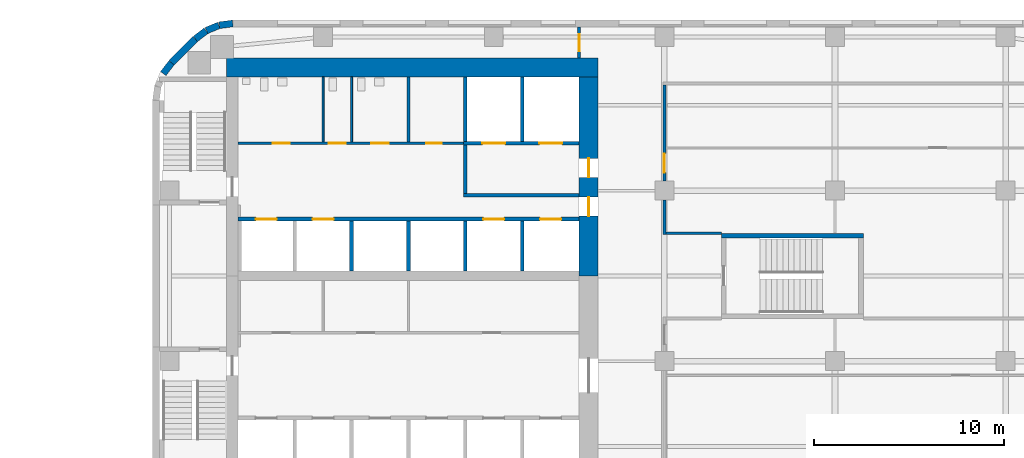
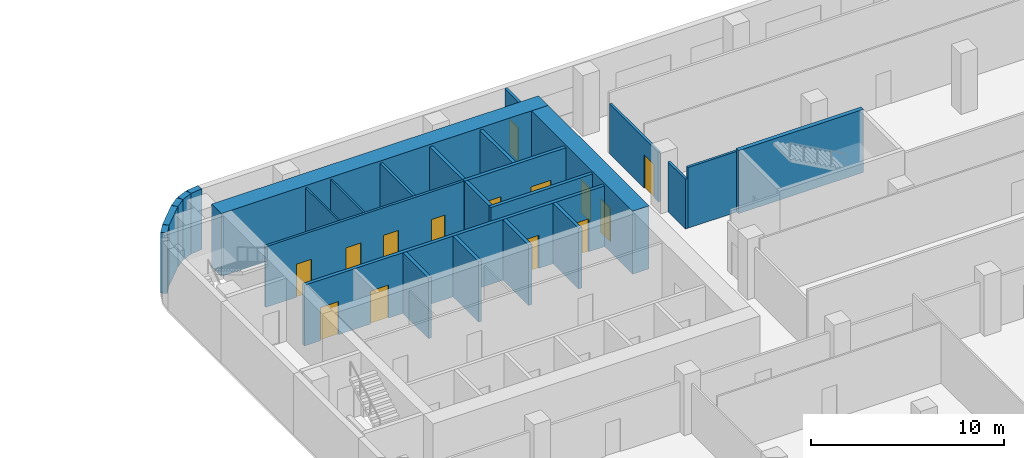
# One storey, part 11 of 16: 26 walls, 14 doors, 14 openings.
"""IFC4 building model written with IfcOpenShell, lengths in metres."""

import ifcopenshell
import ifcopenshell.guid

model = None  # the IFC model being written
_history = None  # IfcOwnerHistory: only IFC2X3 demands one
_inside = {}  # id of a spatial element -> (the spatial element, [elements in it])
_under = {}  # id of a project, library or spatial element -> (it, [spatial elements below it])
_declared = {}  # id of a project -> (the project, [libraries it declares])
_typed = {}  # id of a type object -> (the type object, [elements of that type])
_made_of = {}  # id of a material, layer set ... -> (it, [elements and type objects made of it])


def new_model(schema):
    """Start an empty IFC model of exactly this schema.

    Asked for "IFC4X3", IfcOpenShell would pick the latest addendum, in which some entities
    have other attributes; the version numbers below select the first issue.
    IFC2X3 requires an IfcOwnerHistory on every rooted entity: one is made here for all.
    """
    global model, _history
    if schema == "IFC4X3":
        model = ifcopenshell.file(schema_version=(4, 3, 0, 0))
    else:
        model = ifcopenshell.file(schema=schema)
    _inside.clear()
    _under.clear()
    _declared.clear()
    _typed.clear()
    _made_of.clear()
    _history = None
    if model.schema == "IFC2X3":
        org = make("IfcOrganization", Name="unknown")
        user = make(
            "IfcPersonAndOrganization",
            ThePerson=make("IfcPerson", FamilyName="unknown"),
            TheOrganization=org,
        )
        app = make(
            "IfcApplication",
            ApplicationDeveloper=org,
            Version="unknown",
            ApplicationFullName="unknown",
            ApplicationIdentifier="unknown",
        )
        _history = make(
            "IfcOwnerHistory",
            OwningUser=user,
            OwningApplication=app,
            ChangeAction="ADDED",
            CreationDate=0,
        )
    return model


def make(cls, **values):
    """One entity of the class cls with the attributes given. An attribute that is None is left unset."""
    return model.create_entity(
        cls, **{name: value for name, value in values.items() if value is not None}
    )


def rooted(cls, **values):
    """An entity with a GlobalId (a new one), such as an element, a storey or a relation."""
    return make(cls, GlobalId=ifcopenshell.guid.new(), OwnerHistory=_history, **values)


def si_unit(unit_type, name, prefix=None):
    """IfcSIUnit, for example si_unit("LENGTHUNIT", "METRE", prefix="MILLI")."""
    return make("IfcSIUnit", UnitType=unit_type, Prefix=prefix, Name=name)


def assignment(units):
    """IfcUnitAssignment: the units of a project."""
    return None if units is None else make("IfcUnitAssignment", Units=units)


def point(xyz):
    """IfcCartesianPoint."""
    return None if xyz is None else make("IfcCartesianPoint", Coordinates=xyz)


def direction(xyz):
    """IfcDirection."""
    return None if xyz is None else make("IfcDirection", DirectionRatios=xyz)


def frame(location, z_axis=None, x_axis=None):
    """IfcAxis2Placement3D, a coordinate frame: its origin and axes. An axis left out is left unset."""
    return make(
        "IfcAxis2Placement3D",
        Location=point(location),
        Axis=direction(z_axis),
        RefDirection=direction(x_axis),
    )


def frame_2d(location, x_axis=None):
    """IfcAxis2Placement2D, a coordinate frame in the plane: its origin and x axis."""
    return make(
        "IfcAxis2Placement2D", Location=point(location), RefDirection=direction(x_axis)
    )


def origin():
    """The frame at (0, 0, 0) with its axes left unset."""
    return frame((0.0, 0.0, 0.0))


def place(relative_to, where):
    """IfcLocalPlacement: puts the frame where relative to a parent placement (None: the world)."""
    return make(
        "IfcLocalPlacement", PlacementRelTo=relative_to, RelativePlacement=where
    )


def context(
    kind, dimensions, precision=None, world=None, true_north=None, identifier=None
):
    """IfcGeometricRepresentationContext, for example the 3D "Model" context."""
    return make(
        "IfcGeometricRepresentationContext",
        ContextIdentifier=identifier,
        ContextType=kind,
        CoordinateSpaceDimension=dimensions,
        Precision=precision,
        WorldCoordinateSystem=world,
        TrueNorth=true_north,
    )


def subcontext(parent, identifier, kind, view, scale=None):
    """IfcGeometricRepresentationSubContext, for example "Body" below "Model"."""
    return make(
        "IfcGeometricRepresentationSubContext",
        ContextIdentifier=identifier,
        ContextType=kind,
        ParentContext=parent,
        TargetScale=scale,
        TargetView=view,
    )


def project(units=None, contexts=None):
    """IfcProject with its units and contexts."""
    return rooted(
        "IfcProject",
        Name="project",
        RepresentationContexts=contexts,
        UnitsInContext=assignment(units),
    )


def spatial(cls, under=None, at=None, **own):
    """A site, building, storey or space (cls), placed at a placement, below another one or the project."""
    s = rooted(cls, ObjectPlacement=at, **own)
    if under is not None:
        _under.setdefault(under.id(), (under, []))[1].append(s)
    return s


def profile(cls, at=None, kind="AREA", **sizes):
    """A parametric profile (cls). Its sizes go by their IFC names, for example OverallWidth=200.0."""
    return make(cls, ProfileType=kind, Position=at, **sizes)


def rectangle(**sizes):
    """IfcRectangleProfileDef."""
    return profile("IfcRectangleProfileDef", **sizes)


def extrude(swept, where, along, depth):
    """IfcExtrudedAreaSolid: the profile swept, set in the frame where, extruded along a direction by depth."""
    return make(
        "IfcExtrudedAreaSolid",
        SweptArea=swept,
        Position=where,
        ExtrudedDirection=direction(along),
        Depth=depth,
    )


def shape(context_of_items, identifier, shape_type, items):
    """IfcShapeRepresentation: the items that make up one representation, for example the "Body"."""
    return make(
        "IfcShapeRepresentation",
        ContextOfItems=context_of_items,
        RepresentationIdentifier=identifier,
        RepresentationType=shape_type,
        Items=items,
    )


def material(Name=None, Category=None):
    """IfcMaterial."""
    return make("IfcMaterial", Name=Name, Category=Category)


def layer(
    of_material, thickness, ventilated=None, Name=None, Category=None, Priority=None
):
    """IfcMaterialLayer: one layer of a wall or slab, of a material (None: an air gap)."""
    return make(
        "IfcMaterialLayer",
        Material=of_material,
        LayerThickness=thickness,
        IsVentilated=ventilated,
        Name=Name,
        Category=Category,
        Priority=Priority,
    )


def layer_set(layers, Name=None):
    """IfcMaterialLayerSet."""
    return make("IfcMaterialLayerSet", MaterialLayers=layers, LayerSetName=Name)


def made_of(thing, what):
    """Note that an element or type object is made of a material, layer set ...; save() writes the relation."""
    if what is not None:
        _made_of.setdefault(what.id(), (what, []))[1].append(thing)
    return thing


def type_object(cls, material=None, **own):
    """A type object (cls), such as IfcWallType, which elements share."""
    return made_of(rooted(cls, **own), material)


def element(
    cls,
    number,
    at=None,
    inside=None,
    cuts=None,
    type_object=None,
    material=None,
    context=None,
    identifier="Body",
    shape_type=None,
    held_by="IfcProductDefinitionShape",
    body=None,
    shapes=None,
    **own,
):
    """One element of the class cls, such as IfcWall. Its Tag is "e" and its number.

    at: its placement. inside: the storey or other place that contains it. cuts: it is an
    opening in that element (IfcRelVoidsElement). A single representation is given by context,
    identifier, shape_type and body (its items); several are given by shapes. held_by: the class
    of the entity that holds the representations. save() writes the other relations.
    """
    e = rooted(cls, Tag="e%d" % number, ObjectPlacement=at, **own)
    if body is not None:
        shapes = [shape(context, identifier, shape_type, body)]
    if shapes is not None:
        e.Representation = make(held_by, Representations=shapes)
    if inside is not None:
        _inside.setdefault(inside.id(), (inside, []))[1].append(e)
    if cuts is not None:
        rooted(
            "IfcRelVoidsElement", RelatingBuildingElement=cuts, RelatedOpeningElement=e
        )
    if type_object is not None:
        _typed.setdefault(type_object.id(), (type_object, []))[1].append(e)
    return made_of(e, material)


def fill(opening, filler):
    """IfcRelFillsElement: the door or window that sits in an opening."""
    return rooted(
        "IfcRelFillsElement",
        RelatingOpeningElement=opening,
        RelatedBuildingElement=filler,
    )


def aggregate(whole, parts):
    """IfcRelAggregates: a whole, such as a stair, and the parts it consists of."""
    return rooted("IfcRelAggregates", RelatingObject=whole, RelatedObjects=parts)


def save(model, path):
    """Write the relations noted so far, then the file.

    IfcRelAggregates (storeys below a building ...), IfcRelContainedInSpatialStructure (elements
    in a storey), IfcRelDefinesByType, IfcRelAssociatesMaterial and IfcRelDeclares: one each for
    every whole, place, type object, material and project.
    """
    for whole, parts in _under.values():
        aggregate(whole, parts)
    for where, things in _inside.values():
        rooted(
            "IfcRelContainedInSpatialStructure",
            RelatedElements=things,
            RelatingStructure=where,
        )
    for kind, things in _typed.values():
        rooted("IfcRelDefinesByType", RelatedObjects=things, RelatingType=kind)
    for what, things in _made_of.values():
        rooted("IfcRelAssociatesMaterial", RelatedObjects=things, RelatingMaterial=what)
    for by, libraries in _declared.values():
        rooted("IfcRelDeclares", RelatingContext=by, RelatedDefinitions=libraries)
    model.write(path)


model = new_model("IFC4")

# Units and contexts
model_context = context("Model", 3, precision=1e-05, world=origin(), true_north=direction((0.0, 1.0)))
body_context = subcontext(model_context, "Body", "Model", "MODEL_VIEW")
ifc_project = project(units=[si_unit("LENGTHUNIT", "METRE"), si_unit("AREAUNIT", "SQUARE_METRE"), si_unit("VOLUMEUNIT", "CUBIC_METRE"), si_unit("PLANEANGLEUNIT", "RADIAN"), si_unit("MASSUNIT", "GRAM", prefix="KILO")], contexts=[model_context])

# Site, building, storey
site_placement = place(None, origin())
site = spatial("IfcSite", under=ifc_project, at=site_placement, CompositionType="ELEMENT")
building_placement = place(site_placement, origin())
building = spatial("IfcBuilding", under=site, at=building_placement, Name="Cinnabar Reach Civic Tower", CompositionType="ELEMENT")
storey_placement = place(building_placement, frame((0.0, 0.0, 38.0)))
storey = spatial("IfcBuildingStorey", under=building, at=storey_placement, Name="L08", CompositionType="ELEMENT", Elevation=38.0)

# Walls
ifc_material_1 = material(Name="Facing brick with insulated backing", Category="masonry")
ifc_layer_1 = layer(ifc_material_1, 0.36)
ifc_layer_set_1 = layer_set([ifc_layer_1], Name="Brick corner wall")
wall_type_1 = type_object("IfcWallType", Name="Brick corner wall", PredefinedType="STANDARD", material=ifc_layer_set_1)
for number, where, z_axis, x_axis, name in (
    (1, (4.2314, 44.817, 0.0), (0.0, 0.0, 1.0), (-0.99144092581, -0.13055608231, 0.0), "Brick corner wall"),
    (2, (3.5027, 44.7181, 0.0), (0.0, 0.0, 1.0), (-0.923871547278, -0.382702709855, 0.0), "Brick corner wall"),
):
    element("IfcWall", number, at=place(storey_placement, frame(where, z_axis=z_axis, x_axis=x_axis)), inside=storey, type_object=wall_type_1, Name=name, PredefinedType="STANDARD", context=body_context, shape_type="SweptSolid", body=[
        extrude(rectangle(XDim=0.7131, YDim=0.36, at=frame_2d((0.3565, 0.0))), origin(), (0.0, 0.0, 1.0), 3.85),
    ])
for number, where, z_axis, x_axis, name in (
    (3, (2.8245, 44.434, 0.0), (0.0, 0.0, 1.0), (-0.793321924995, -0.608802368033, 0.0), "Brick corner wall"),
    (4, (1.0002, 42.7413, 0.0), (0.0, 0.0, 1.0), (-0.608802368033, -0.793321924995, 0.0), "Brick corner wall"),
):
    element("IfcWall", number, at=place(storey_placement, frame(where, z_axis=z_axis, x_axis=x_axis)), inside=storey, type_object=wall_type_1, Name=name, PredefinedType="STANDARD", context=body_context, shape_type="SweptSolid", body=[
        extrude(rectangle(XDim=0.7132, YDim=0.36, at=frame_2d((0.3566, 0.0))), origin(), (0.0, 0.0, 1.0), 3.85),
    ])
ifc_layer_2 = layer(ifc_material_1, 0.36)
ifc_layer_set_2 = layer_set([ifc_layer_2], Name="Brick pier and spandrel wall")
wall_type_2 = type_object("IfcWallType", Name="Brick pier and spandrel wall", PredefinedType="STANDARD", material=ifc_layer_set_2)
wall_1_placement = place(storey_placement, frame((2.2486, 43.994, 0.0), z_axis=(0.0, 0.0, 1.0), x_axis=(-0.707106781187, -0.707106781187, 0.0)))
element("IfcWall", 5, at=wall_1_placement, inside=storey, type_object=wall_type_2, Name="Brick facade wall", PredefinedType="STANDARD", context=body_context, shape_type="SweptSolid", body=[
    extrude(rectangle(XDim=1.7573, YDim=0.36, at=frame_2d((0.8787, 0.0))), origin(), (0.0, 0.0, 1.0), 3.85),
])
ifc_material_2 = material(Name="Concrete C70", Category="concrete")
ifc_layer_3 = layer(ifc_material_2, 1.0)
ifc_layer_set_3 = layer_set([ifc_layer_3], Name="Core wall 1000 EI 180")
wall_type_3 = type_object("IfcWallType", Name="Core wall 1000 EI 180", PredefinedType="SOLIDWALL", material=ifc_layer_set_3)
wall_2_placement = place(storey_placement, frame((23.5, 42.5, 0.0), z_axis=(0.0, 0.0, 1.0), x_axis=(-1.0, 0.0, 0.0)))
element("IfcWall", 6, at=wall_2_placement, inside=storey, type_object=wall_type_3, Name="Core wall T1 L08 N", PredefinedType="SOLIDWALL", context=body_context, shape_type="SweptSolid", body=[
    extrude(rectangle(XDim=19.6, YDim=1.0, at=frame_2d((9.8, 0.0))), origin(), (0.0, 0.0, 1.0), 4.0),
])

# Wall, openings, doors
wall_3_placement = place(storey_placement, frame((23.0, 31.5, 0.0), z_axis=(0.0, 0.0, 1.0), x_axis=(0.0, 1.0, 0.0)))
wall_3 = element("IfcWall", 7, at=wall_3_placement, inside=storey, type_object=wall_type_3, Name="Core wall T1 L08 E2", PredefinedType="SOLIDWALL", context=body_context, shape_type="SweptSolid", body=[
    extrude(rectangle(XDim=10.5, YDim=1.0, at=frame_2d((5.25, 0.0))), origin(), (0.0, 0.0, 1.0), 4.0),
])
opening_1_placement = place(wall_3_placement, frame((3.15, 0.0, 0.0)))
opening_1 = element("IfcOpeningElement", 8, at=opening_1_placement, cuts=wall_3, Name="Opening D3331", PredefinedType="OPENING", context=body_context, shape_type="SweptSolid", body=[
    extrude(rectangle(XDim=1.0, YDim=2.1, at=frame_2d((0.5, 1.05))), frame((0.0, 0.51, 0.0), z_axis=(0.0, -1.0, 0.0), x_axis=(1.0, 0.0, 0.0)), (0.0, 0.0, 1.0), 1.02),
])
opening_2_placement = place(wall_3_placement, frame((5.2, 0.0, 0.0)))
opening_2 = element("IfcOpeningElement", 9, at=opening_2_placement, cuts=wall_3, Name="Opening D3332", PredefinedType="OPENING", context=body_context, shape_type="SweptSolid", body=[
    extrude(rectangle(XDim=1.0, YDim=2.1, at=frame_2d((0.5, 1.05))), frame((0.0, 0.51, 0.0), z_axis=(0.0, -1.0, 0.0), x_axis=(1.0, 0.0, 0.0)), (0.0, 0.0, 1.0), 1.02),
])
ifc_material_3 = material(Name="Timber door leaf in steel frame", Category="steel")
door_type_1 = type_object("IfcDoorType", Name="Firefighting lobby door 1000 x 2100 T1", OperationType="SINGLE_SWING_LEFT", PredefinedType="DOOR", material=ifc_material_3)
door_1_placement = place(opening_2_placement, origin())
door_1 = element("IfcDoor", 10, at=door_1_placement, inside=storey, type_object=door_type_1, Name="Door D3332", OperationType="SINGLE_SWING_LEFT", OverallHeight=2.1, OverallWidth=1.0, PredefinedType="DOOR", context=body_context, shape_type="SweptSolid", body=[
    extrude(rectangle(XDim=1.0, YDim=2.1, at=frame_2d((0.5, 1.05))), frame((0.0, 0.025, 0.0), z_axis=(0.0, -1.0, 0.0), x_axis=(1.0, 0.0, 0.0)), (0.0, 0.0, 1.0), 0.05),
])
fill(opening_2, door_1)
door_type_2 = type_object("IfcDoorType", Name="Single swing door 1000 x 2100 T1", OperationType="SINGLE_SWING_LEFT", PredefinedType="DOOR", material=ifc_material_3)
door_2_placement = place(opening_1_placement, origin())
door_2 = element("IfcDoor", 11, at=door_2_placement, inside=storey, type_object=door_type_2, Name="Door D3331", OperationType="SINGLE_SWING_RIGHT", OverallHeight=2.1, OverallWidth=1.0, PredefinedType="DOOR", context=body_context, shape_type="SweptSolid", body=[
    extrude(rectangle(XDim=1.0, YDim=2.1, at=frame_2d((0.5, 1.05))), frame((0.0, 0.025, 0.0), z_axis=(0.0, -1.0, 0.0), x_axis=(1.0, 0.0, 0.0)), (0.0, 0.0, 1.0), 0.05),
])
fill(opening_1, door_2)

ifc_material_4 = material(Name="Gypsum board on steel studs, double layer", Category="steel")
ifc_layer_4 = layer(ifc_material_4, 0.15)
ifc_layer_set_4 = layer_set([ifc_layer_4], Name="Corridor wall 150 T1")
wall_type_4 = type_object("IfcWallType", Name="Corridor wall 150 T1", PredefinedType="PARTITIONING", material=ifc_layer_set_4)
wall_4_placement = place(storey_placement, frame((4.5, 38.5, 0.0), z_axis=(0.0, 0.0, 1.0), x_axis=(1.0, 0.0, 0.0)))
wall_4 = element("IfcWall", 12, at=wall_4_placement, inside=storey, type_object=wall_type_4, Name="Corridor wall 29", PredefinedType="PARTITIONING", context=body_context, shape_type="SweptSolid", body=[
    extrude(rectangle(XDim=11.9, YDim=0.15, at=frame_2d((5.95, 0.0))), origin(), (0.0, 0.0, 1.0), 3.85),
])
opening_3_placement = place(wall_4_placement, frame((1.85, 0.0, 0.0)))
opening_3 = element("IfcOpeningElement", 13, at=opening_3_placement, cuts=wall_4, Name="Opening D3337", PredefinedType="OPENING", context=body_context, shape_type="SweptSolid", body=[
    extrude(rectangle(XDim=0.9, YDim=2.1, at=frame_2d((0.45, 1.05))), frame((0.0, 0.085, 0.0), z_axis=(0.0, -1.0, 0.0), x_axis=(1.0, 0.0, 0.0)), (0.0, 0.0, 1.0), 0.17),
])
opening_4_placement = place(wall_4_placement, frame((4.8, 0.0, 0.0)))
opening_4 = element("IfcOpeningElement", 14, at=opening_4_placement, cuts=wall_4, Name="Opening D3338", PredefinedType="OPENING", context=body_context, shape_type="SweptSolid", body=[
    extrude(rectangle(XDim=0.9, YDim=2.1, at=frame_2d((0.45, 1.05))), frame((0.0, 0.085, 0.0), z_axis=(0.0, -1.0, 0.0), x_axis=(1.0, 0.0, 0.0)), (0.0, 0.0, 1.0), 0.17),
])
opening_5_placement = place(wall_4_placement, frame((7.05, 0.0, 0.0)))
opening_5 = element("IfcOpeningElement", 15, at=opening_5_placement, cuts=wall_4, Name="Opening D3339", PredefinedType="OPENING", context=body_context, shape_type="SweptSolid", body=[
    extrude(rectangle(XDim=0.9, YDim=2.1, at=frame_2d((0.45, 1.05))), frame((0.0, 0.085, 0.0), z_axis=(0.0, -1.0, 0.0), x_axis=(1.0, 0.0, 0.0)), (0.0, 0.0, 1.0), 0.17),
])
opening_6_placement = place(wall_4_placement, frame((9.95, 0.0, 0.0)))
opening_6 = element("IfcOpeningElement", 16, at=opening_6_placement, cuts=wall_4, Name="Opening D3340", PredefinedType="OPENING", context=body_context, shape_type="SweptSolid", body=[
    extrude(rectangle(XDim=0.8, YDim=2.1, at=frame_2d((0.4, 1.05))), frame((0.0, 0.085, 0.0), z_axis=(0.0, -1.0, 0.0), x_axis=(1.0, 0.0, 0.0)), (0.0, 0.0, 1.0), 0.17),
])
door_type_3 = type_object("IfcDoorType", Name="Riser access door 800 x 2100 T1", OperationType="SINGLE_SWING_LEFT", PredefinedType="DOOR", material=ifc_material_3)
door_3_placement = place(opening_6_placement, origin())
door_3 = element("IfcDoor", 17, at=door_3_placement, inside=storey, type_object=door_type_3, Name="Door D3340", OperationType="SINGLE_SWING_RIGHT", OverallHeight=2.1, OverallWidth=0.8, PredefinedType="DOOR", context=body_context, shape_type="SweptSolid", body=[
    extrude(rectangle(XDim=0.8, YDim=2.1, at=frame_2d((0.4, 1.05))), frame((0.0, 0.025, 0.0), z_axis=(0.0, -1.0, 0.0), x_axis=(1.0, 0.0, 0.0)), (0.0, 0.0, 1.0), 0.05),
])
fill(opening_6, door_3)
door_type_4 = type_object("IfcDoorType", Name="Single swing door 900 x 2100 corridor T1", OperationType="SINGLE_SWING_LEFT", PredefinedType="DOOR", material=ifc_material_3)
door_4_placement = place(opening_3_placement, origin())
door_4 = element("IfcDoor", 18, at=door_4_placement, inside=storey, type_object=door_type_4, Name="Door D3337", OperationType="SINGLE_SWING_RIGHT", OverallHeight=2.1, OverallWidth=0.9, PredefinedType="DOOR", context=body_context, shape_type="SweptSolid", body=[
    extrude(rectangle(XDim=0.9, YDim=2.1, at=frame_2d((0.45, 1.05))), frame((0.0, 0.025, 0.0), z_axis=(0.0, -1.0, 0.0), x_axis=(1.0, 0.0, 0.0)), (0.0, 0.0, 1.0), 0.05),
])
fill(opening_3, door_4)
door_5_placement = place(opening_4_placement, origin())
door_5 = element("IfcDoor", 19, at=door_5_placement, inside=storey, type_object=door_type_4, Name="Door D3338", OperationType="SINGLE_SWING_RIGHT", OverallHeight=2.1, OverallWidth=0.9, PredefinedType="DOOR", context=body_context, shape_type="SweptSolid", body=[
    extrude(rectangle(XDim=0.9, YDim=2.1, at=frame_2d((0.45, 1.05))), frame((0.0, 0.025, 0.0), z_axis=(0.0, -1.0, 0.0), x_axis=(1.0, 0.0, 0.0)), (0.0, 0.0, 1.0), 0.05),
])
fill(opening_4, door_5)
door_6_placement = place(opening_5_placement, origin())
door_6 = element("IfcDoor", 20, at=door_6_placement, inside=storey, type_object=door_type_4, Name="Door D3339", OperationType="SINGLE_SWING_LEFT", OverallHeight=2.1, OverallWidth=0.9, PredefinedType="DOOR", context=body_context, shape_type="SweptSolid", body=[
    extrude(rectangle(XDim=0.9, YDim=2.1, at=frame_2d((0.45, 1.05))), frame((0.0, 0.025, 0.0), z_axis=(0.0, -1.0, 0.0), x_axis=(1.0, 0.0, 0.0)), (0.0, 0.0, 1.0), 0.05),
])
fill(opening_5, door_6)

# Wall
wall_5_placement = place(storey_placement, frame((27.0, 33.675, 0.0), z_axis=(0.0, 0.0, 1.0), x_axis=(0.0, 1.0, 0.0)))
element("IfcWall", 21, at=wall_5_placement, inside=storey, type_object=wall_type_4, Name="Corridor wall 32", PredefinedType="PARTITIONING", context=body_context, shape_type="SweptSolid", body=[
    extrude(rectangle(XDim=1.825, YDim=0.15, at=frame_2d((0.9125, 0.0))), origin(), (0.0, 0.0, 1.0), 3.158),
])

# Wall, opening, door
wall_6_placement = place(storey_placement, frame((27.0, 36.5, 0.0), z_axis=(0.0, 0.0, 1.0), x_axis=(0.0, 1.0, 0.0)))
wall_6 = element("IfcWall", 22, at=wall_6_placement, inside=storey, type_object=wall_type_4, Name="Corridor wall 33", PredefinedType="PARTITIONING", context=body_context, shape_type="SweptSolid", body=[
    extrude(rectangle(XDim=5.075, YDim=0.15, at=frame_2d((2.5375, 0.0))), origin(), (0.0, 0.0, 1.0), 3.158),
])
opening_7_placement = place(wall_6_placement, frame((0.45, 0.0, 0.0)))
opening_7 = element("IfcOpeningElement", 23, at=opening_7_placement, cuts=wall_6, Name="Opening D3341", PredefinedType="OPENING", context=body_context, shape_type="SweptSolid", body=[
    extrude(rectangle(XDim=1.0, YDim=2.1, at=frame_2d((0.5, 1.05))), frame((0.0, 0.085, 0.0), z_axis=(0.0, -1.0, 0.0), x_axis=(1.0, 0.0, 0.0)), (0.0, 0.0, 1.0), 0.17),
])
door_type_5 = type_object("IfcDoorType", Name="Tenancy entrance door 1000 x 2100 T1", OperationType="SINGLE_SWING_LEFT", PredefinedType="DOOR", material=ifc_material_3)
door_7_placement = place(opening_7_placement, frame((1.0, 0.0, 0.0), z_axis=(0.0, 0.0, 1.0), x_axis=(-1.0, 0.0, 0.0)))
door_7 = element("IfcDoor", 24, at=door_7_placement, inside=storey, type_object=door_type_5, Name="Door D3341", OperationType="SINGLE_SWING_LEFT", OverallHeight=2.1, OverallWidth=1.0, PredefinedType="DOOR", context=body_context, shape_type="SweptSolid", body=[
    extrude(rectangle(XDim=1.0, YDim=2.1, at=frame_2d((0.5, 1.05))), frame((0.0, 0.025, 0.0), z_axis=(0.0, -1.0, 0.0), x_axis=(1.0, 0.0, 0.0)), (0.0, 0.0, 1.0), 0.05),
])
fill(opening_7, door_7)

# Wall
wall_7_placement = place(storey_placement, frame((27.075, 33.75, 0.0), z_axis=(0.0, 0.0, 1.0), x_axis=(1.0, 0.0, 0.0)))
element("IfcWall", 25, at=wall_7_placement, inside=storey, type_object=wall_type_4, Name="Corridor wall 37", PredefinedType="PARTITIONING", context=body_context, shape_type="SweptSolid", body=[
    extrude(rectangle(XDim=2.925, YDim=0.15, at=frame_2d((1.4625, 0.0))), origin(), (0.0, 0.0, 1.0), 3.85),
])

# Wall, opening, door
wall_8_placement = place(storey_placement, frame((22.5, 43.0, 0.0), z_axis=(0.0, 0.0, 1.0), x_axis=(0.0, 1.0, 0.0)))
wall_8 = element("IfcWall", 26, at=wall_8_placement, inside=storey, type_object=wall_type_4, Name="Corridor wall 38", PredefinedType="PARTITIONING", context=body_context, shape_type="SweptSolid", body=[
    extrude(rectangle(XDim=1.64, YDim=0.15, at=frame_2d((0.82, 0.0))), origin(), (0.0, 0.0, 1.0), 3.85),
])
opening_8_placement = place(wall_8_placement, frame((0.35, 0.0, 0.0)))
opening_8 = element("IfcOpeningElement", 27, at=opening_8_placement, cuts=wall_8, Name="Opening D5773", PredefinedType="OPENING", context=body_context, shape_type="SweptSolid", body=[
    extrude(rectangle(XDim=0.9, YDim=2.1, at=frame_2d((0.45, 1.05))), frame((0.0, 0.085, 0.0), z_axis=(0.0, -1.0, 0.0), x_axis=(1.0, 0.0, 0.0)), (0.0, 0.0, 1.0), 0.17),
])
door_8_placement = place(opening_8_placement, origin())
door_8 = element("IfcDoor", 28, at=door_8_placement, inside=storey, type_object=door_type_4, Name="Door D5773", OperationType="SINGLE_SWING_LEFT", OverallHeight=2.1, OverallWidth=0.9, PredefinedType="DOOR", context=body_context, shape_type="SweptSolid", body=[
    extrude(rectangle(XDim=0.9, YDim=2.1, at=frame_2d((0.45, 1.05))), frame((0.0, 0.025, 0.0), z_axis=(0.0, -1.0, 0.0), x_axis=(1.0, 0.0, 0.0)), (0.0, 0.0, 1.0), 0.05),
])
fill(opening_8, door_8)

# Wall, openings, doors
ifc_material_5 = material(Name="Blockwork", Category="masonry")
ifc_layer_5 = layer(ifc_material_5, 0.2)
ifc_layer_set_5 = layer_set([ifc_layer_5], Name="Lift shaft wall 200 T1")
wall_type_5 = type_object("IfcWallType", Name="Lift shaft wall 200 T1", PredefinedType="PARTITIONING", material=ifc_layer_set_5)
wall_9_placement = place(storey_placement, frame((4.5, 34.5, 0.0), z_axis=(0.0, 0.0, 1.0), x_axis=(1.0, 0.0, 0.0)))
wall_9 = element("IfcWall", 29, at=wall_9_placement, inside=storey, type_object=wall_type_5, Name="Lift shaft wall 5", PredefinedType="PARTITIONING", context=body_context, shape_type="SweptSolid", body=[
    extrude(rectangle(XDim=18.0, YDim=0.2, at=frame_2d((9.0, 0.0))), origin(), (0.0, 0.0, 1.0), 3.85),
])
opening_9_placement = place(wall_9_placement, frame((0.95, 0.0, 0.0)))
opening_9 = element("IfcOpeningElement", 30, at=opening_9_placement, cuts=wall_9, Name="Opening D3324", PredefinedType="OPENING", context=body_context, shape_type="SweptSolid", body=[
    extrude(rectangle(XDim=1.1, YDim=2.1, at=frame_2d((0.55, 1.05))), frame((0.0, 0.11, 0.0), z_axis=(0.0, -1.0, 0.0), x_axis=(1.0, 0.0, 0.0)), (0.0, 0.0, 1.0), 0.22),
])
opening_10_placement = place(wall_9_placement, frame((3.95, 0.0, 0.0)))
opening_10 = element("IfcOpeningElement", 31, at=opening_10_placement, cuts=wall_9, Name="Opening D3325", PredefinedType="OPENING", context=body_context, shape_type="SweptSolid", body=[
    extrude(rectangle(XDim=1.1, YDim=2.1, at=frame_2d((0.55, 1.05))), frame((0.0, 0.11, 0.0), z_axis=(0.0, -1.0, 0.0), x_axis=(1.0, 0.0, 0.0)), (0.0, 0.0, 1.0), 0.22),
])
opening_11_placement = place(wall_9_placement, frame((12.95, 0.0, 0.0)))
opening_11 = element("IfcOpeningElement", 32, at=opening_11_placement, cuts=wall_9, Name="Opening D3326", PredefinedType="OPENING", context=body_context, shape_type="SweptSolid", body=[
    extrude(rectangle(XDim=1.1, YDim=2.1, at=frame_2d((0.55, 1.05))), frame((0.0, 0.11, 0.0), z_axis=(0.0, -1.0, 0.0), x_axis=(1.0, 0.0, 0.0)), (0.0, 0.0, 1.0), 0.22),
])
opening_12_placement = place(wall_9_placement, frame((15.95, 0.0, 0.0)))
opening_12 = element("IfcOpeningElement", 33, at=opening_12_placement, cuts=wall_9, Name="Opening D3327", PredefinedType="OPENING", context=body_context, shape_type="SweptSolid", body=[
    extrude(rectangle(XDim=1.1, YDim=2.1, at=frame_2d((0.55, 1.05))), frame((0.0, 0.11, 0.0), z_axis=(0.0, -1.0, 0.0), x_axis=(1.0, 0.0, 0.0)), (0.0, 0.0, 1.0), 0.22),
])
ifc_material_6 = material(Name="Stainless steel sliding door", Category="steel")
door_type_6 = type_object("IfcDoorType", Name="Lift landing door 1100 x 2100 T1", OperationType="SLIDING_TO_LEFT", PredefinedType="DOOR", material=ifc_material_6)
door_9_placement = place(opening_9_placement, origin())
door_9 = element("IfcDoor", 34, at=door_9_placement, inside=storey, type_object=door_type_6, Name="Lift landing door SH1 L08", OperationType="SLIDING_TO_LEFT", OverallHeight=2.1, OverallWidth=1.1, PredefinedType="DOOR", context=body_context, shape_type="SweptSolid", body=[
    extrude(rectangle(XDim=1.1, YDim=2.1, at=frame_2d((0.55, 1.05))), frame((0.0, 0.025, 0.0), z_axis=(0.0, -1.0, 0.0), x_axis=(1.0, 0.0, 0.0)), (0.0, 0.0, 1.0), 0.05),
])
fill(opening_9, door_9)
door_10_placement = place(opening_10_placement, origin())
door_10 = element("IfcDoor", 35, at=door_10_placement, inside=storey, type_object=door_type_6, Name="Lift landing door SH2 L08", OperationType="SLIDING_TO_LEFT", OverallHeight=2.1, OverallWidth=1.1, PredefinedType="DOOR", context=body_context, shape_type="SweptSolid", body=[
    extrude(rectangle(XDim=1.1, YDim=2.1, at=frame_2d((0.55, 1.05))), frame((0.0, 0.025, 0.0), z_axis=(0.0, -1.0, 0.0), x_axis=(1.0, 0.0, 0.0)), (0.0, 0.0, 1.0), 0.05),
])
fill(opening_10, door_10)
door_11_placement = place(opening_11_placement, origin())
door_11 = element("IfcDoor", 36, at=door_11_placement, inside=storey, type_object=door_type_6, Name="Lift landing door SV1 L08", OperationType="SLIDING_TO_LEFT", OverallHeight=2.1, OverallWidth=1.1, PredefinedType="DOOR", context=body_context, shape_type="SweptSolid", body=[
    extrude(rectangle(XDim=1.1, YDim=2.1, at=frame_2d((0.55, 1.05))), frame((0.0, 0.025, 0.0), z_axis=(0.0, -1.0, 0.0), x_axis=(1.0, 0.0, 0.0)), (0.0, 0.0, 1.0), 0.05),
])
fill(opening_11, door_11)
door_12_placement = place(opening_12_placement, origin())
door_12 = element("IfcDoor", 37, at=door_12_placement, inside=storey, type_object=door_type_6, Name="Lift landing door SV2 L08", OperationType="SLIDING_TO_LEFT", OverallHeight=2.1, OverallWidth=1.1, PredefinedType="DOOR", context=body_context, shape_type="SweptSolid", body=[
    extrude(rectangle(XDim=1.1, YDim=2.1, at=frame_2d((0.55, 1.05))), frame((0.0, 0.025, 0.0), z_axis=(0.0, -1.0, 0.0), x_axis=(1.0, 0.0, 0.0)), (0.0, 0.0, 1.0), 0.05),
])
fill(opening_12, door_12)

# Walls
for number, where, z_axis, x_axis, name in (
    (38, (16.5, 38.6, 0.0), (0.0, 0.0, 1.0), (0.0, 1.0, 0.0), "Lift shaft wall 6"),
    (39, (19.5, 38.6, 0.0), (0.0, 0.0, 1.0), (0.0, 1.0, 0.0), "Lift shaft wall 7"),
):
    element("IfcWall", number, at=place(storey_placement, frame(where, z_axis=z_axis, x_axis=x_axis)), inside=storey, type_object=wall_type_5, Name=name, PredefinedType="PARTITIONING", context=body_context, shape_type="SweptSolid", body=[
        extrude(rectangle(XDim=3.4, YDim=0.2, at=frame_2d((1.7, 0.0))), origin(), (0.0, 0.0, 1.0), 3.85),
    ])
for number, where, z_axis, x_axis, name in (
    (40, (10.5, 31.75, 0.0), (0.0, 0.0, 1.0), (0.0, 1.0, 0.0), "Lift shaft wall 12"),
    (41, (13.5, 31.75, 0.0), (0.0, 0.0, 1.0), (0.0, 1.0, 0.0), "Lift shaft wall 14"),
    (42, (16.5, 31.75, 0.0), (0.0, 0.0, 1.0), (0.0, 1.0, 0.0), "Lift shaft wall 16"),
    (43, (19.5, 31.75, 0.0), (0.0, 0.0, 1.0), (0.0, 1.0, 0.0), "Lift shaft wall 18"),
):
    element("IfcWall", number, at=place(storey_placement, frame(where, z_axis=z_axis, x_axis=x_axis)), inside=storey, type_object=wall_type_5, Name=name, PredefinedType="PARTITIONING", context=body_context, shape_type="SweptSolid", body=[
        extrude(rectangle(XDim=2.65, YDim=0.2, at=frame_2d((1.325, 0.0))), origin(), (0.0, 0.0, 1.0), 3.85),
    ])
ifc_material_7 = material(Name="Gypsum board on steel studs", Category="steel")
ifc_layer_6 = layer(ifc_material_7, 0.1)
ifc_layer_set_6 = layer_set([ifc_layer_6], Name="Partition wall 100 T1")
wall_type_6 = type_object("IfcWallType", Name="Partition wall 100 T1", PredefinedType="PARTITIONING", material=ifc_layer_set_6)
for number, where, z_axis, x_axis, name in (
    (44, (9.0, 38.575, 0.0), (0.0, 0.0, 1.0), (0.0, 1.0, 0.0), "Partition wall 51"),
    (45, (10.5, 38.575, 0.0), (0.0, 0.0, 1.0), (0.0, 1.0, 0.0), "Partition wall 52"),
):
    element("IfcWall", number, at=place(storey_placement, frame(where, z_axis=z_axis, x_axis=x_axis)), inside=storey, type_object=wall_type_6, Name=name, PredefinedType="PARTITIONING", context=body_context, shape_type="SweptSolid", body=[
        extrude(rectangle(XDim=3.425, YDim=0.1, at=frame_2d((1.7125, 0.0))), origin(), (0.0, 0.0, 1.0), 3.85),
    ])
ifc_material_8 = material(Name="Concrete C40", Category="concrete")
ifc_layer_7 = layer(ifc_material_8, 0.2)
ifc_layer_set_7 = layer_set([ifc_layer_7], Name="Refuge compartment wall 200 T1")
wall_type_7 = type_object("IfcWallType", Name="Refuge compartment wall 200 T1", PredefinedType="PARTITIONING", material=ifc_layer_set_7)
wall_10_placement = place(storey_placement, frame((16.4, 35.75, 0.0), z_axis=(0.0, 0.0, 1.0), x_axis=(1.0, 0.0, 0.0)))
element("IfcWall", 46, at=wall_10_placement, inside=storey, type_object=wall_type_7, Name="Refuge compartment wall 1", PredefinedType="PARTITIONING", context=body_context, shape_type="SweptSolid", body=[
    extrude(rectangle(XDim=6.1, YDim=0.2, at=frame_2d((3.05, 0.0))), origin(), (0.0, 0.0, 1.0), 3.85),
])

# Wall, openings, doors
wall_11_placement = place(storey_placement, frame((16.4, 38.5, 0.0), z_axis=(0.0, 0.0, 1.0), x_axis=(1.0, 0.0, 0.0)))
wall_11 = element("IfcWall", 47, at=wall_11_placement, inside=storey, type_object=wall_type_7, Name="Refuge compartment wall 2", PredefinedType="PARTITIONING", context=body_context, shape_type="SweptSolid", body=[
    extrude(rectangle(XDim=6.1, YDim=0.2, at=frame_2d((3.05, 0.0))), origin(), (0.0, 0.0, 1.0), 3.85),
])
opening_13_placement = place(wall_11_placement, frame((1.0, 0.0, 0.0)))
opening_13 = element("IfcOpeningElement", 48, at=opening_13_placement, cuts=wall_11, Name="Opening D3328", PredefinedType="OPENING", context=body_context, shape_type="SweptSolid", body=[
    extrude(rectangle(XDim=1.2, YDim=2.1, at=frame_2d((0.6, 1.05))), frame((0.0, 0.11, 0.0), z_axis=(0.0, -1.0, 0.0), x_axis=(1.0, 0.0, 0.0)), (0.0, 0.0, 1.0), 0.22),
])
opening_14_placement = place(wall_11_placement, frame((4.0, 0.0, 0.0)))
opening_14 = element("IfcOpeningElement", 49, at=opening_14_placement, cuts=wall_11, Name="Opening D3329", PredefinedType="OPENING", context=body_context, shape_type="SweptSolid", body=[
    extrude(rectangle(XDim=1.2, YDim=2.1, at=frame_2d((0.6, 1.05))), frame((0.0, 0.11, 0.0), z_axis=(0.0, -1.0, 0.0), x_axis=(1.0, 0.0, 0.0)), (0.0, 0.0, 1.0), 0.22),
])
door_type_7 = type_object("IfcDoorType", Name="Firefighting lift landing door 1200 x 2100 T1", OperationType="SLIDING_TO_LEFT", PredefinedType="DOOR", material=ifc_material_6)
door_13_placement = place(opening_13_placement, origin())
door_13 = element("IfcDoor", 50, at=door_13_placement, inside=storey, type_object=door_type_7, Name="Lift landing door FF1 L08", OperationType="SLIDING_TO_LEFT", OverallHeight=2.1, OverallWidth=1.2, PredefinedType="DOOR", context=body_context, shape_type="SweptSolid", body=[
    extrude(rectangle(XDim=1.2, YDim=2.1, at=frame_2d((0.6, 1.05))), frame((0.0, 0.025, 0.0), z_axis=(0.0, -1.0, 0.0), x_axis=(1.0, 0.0, 0.0)), (0.0, 0.0, 1.0), 0.05),
])
fill(opening_13, door_13)
door_14_placement = place(opening_14_placement, origin())
door_14 = element("IfcDoor", 51, at=door_14_placement, inside=storey, type_object=door_type_7, Name="Lift landing door FF2 L08", OperationType="SLIDING_TO_LEFT", OverallHeight=2.1, OverallWidth=1.2, PredefinedType="DOOR", context=body_context, shape_type="SweptSolid", body=[
    extrude(rectangle(XDim=1.2, YDim=2.1, at=frame_2d((0.6, 1.05))), frame((0.0, 0.025, 0.0), z_axis=(0.0, -1.0, 0.0), x_axis=(1.0, 0.0, 0.0)), (0.0, 0.0, 1.0), 0.05),
])
fill(opening_14, door_14)

# Walls
wall_12_placement = place(storey_placement, frame((16.5, 35.85, 0.0), z_axis=(0.0, 0.0, 1.0), x_axis=(0.0, 1.0, 0.0)))
element("IfcWall", 52, at=wall_12_placement, inside=storey, type_object=wall_type_7, Name="Refuge compartment wall 3", PredefinedType="PARTITIONING", context=body_context, shape_type="SweptSolid", body=[
    extrude(rectangle(XDim=2.55, YDim=0.2, at=frame_2d((1.275, 0.0))), origin(), (0.0, 0.0, 1.0), 3.85),
])
ifc_layer_8 = layer(ifc_material_5, 0.15)
ifc_layer_set_8 = layer_set([ifc_layer_8], Name="Riser wall 150 T1")
wall_type_8 = type_object("IfcWallType", Name="Riser wall 150 T1", PredefinedType="PARTITIONING", material=ifc_layer_set_8)
wall_13_placement = place(storey_placement, frame((13.5, 38.575, 0.0), z_axis=(0.0, 0.0, 1.0), x_axis=(0.0, 1.0, 0.0)))
element("IfcWall", 53, at=wall_13_placement, inside=storey, type_object=wall_type_8, Name="Riser wall 40", PredefinedType="PARTITIONING", context=body_context, shape_type="SweptSolid", body=[
    extrude(rectangle(XDim=3.425, YDim=0.15, at=frame_2d((1.7125, 0.0))), origin(), (0.0, 0.0, 1.0), 3.85),
])
ifc_material_9 = material(Name="Concrete C60", Category="concrete")
ifc_layer_9 = layer(ifc_material_9, 0.25)
ifc_layer_set_9 = layer_set([ifc_layer_9], Name="Stair shaft wall 250 EI 120")
wall_type_9 = type_object("IfcWallType", Name="Stair shaft wall 250 EI 120", PredefinedType="SOLIDWALL", material=ifc_layer_set_9)
wall_14_placement = place(storey_placement, frame((37.5, 33.625, 0.0), z_axis=(0.0, 0.0, 1.0), x_axis=(-1.0, 0.0, 0.0)))
element("IfcWall", 54, at=wall_14_placement, inside=storey, type_object=wall_type_9, Name="Stair shaft wall T1-S3 L08", PredefinedType="SOLIDWALL", context=body_context, shape_type="SweptSolid", body=[
    extrude(rectangle(XDim=7.5, YDim=0.25, at=frame_2d((3.75, 0.0))), origin(), (0.0, 0.0, 1.0), 4.0),
])

save(model, "model.ifc")
